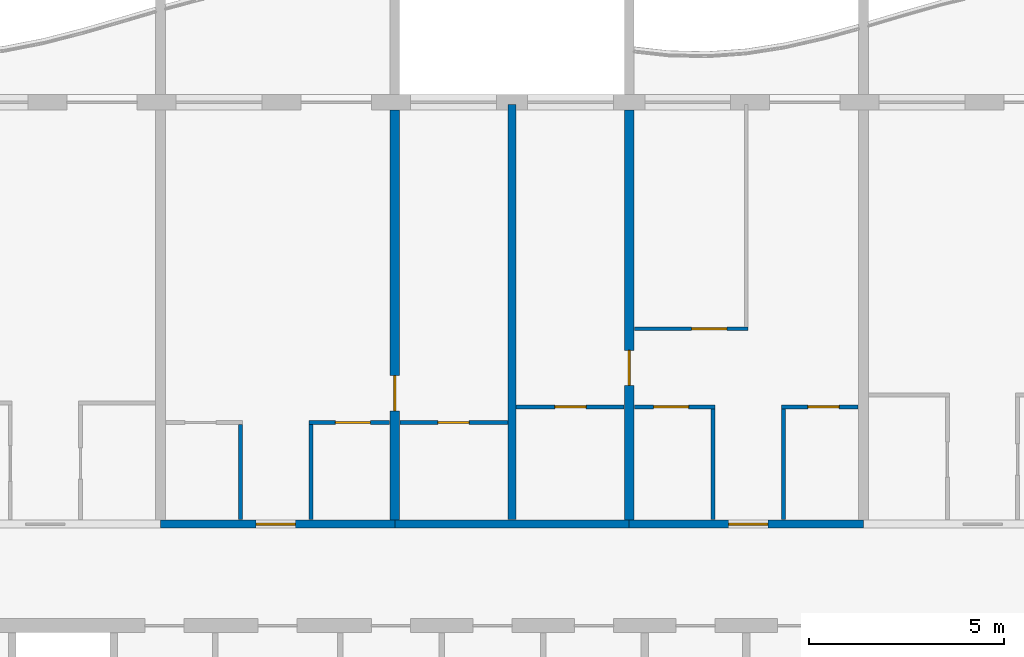
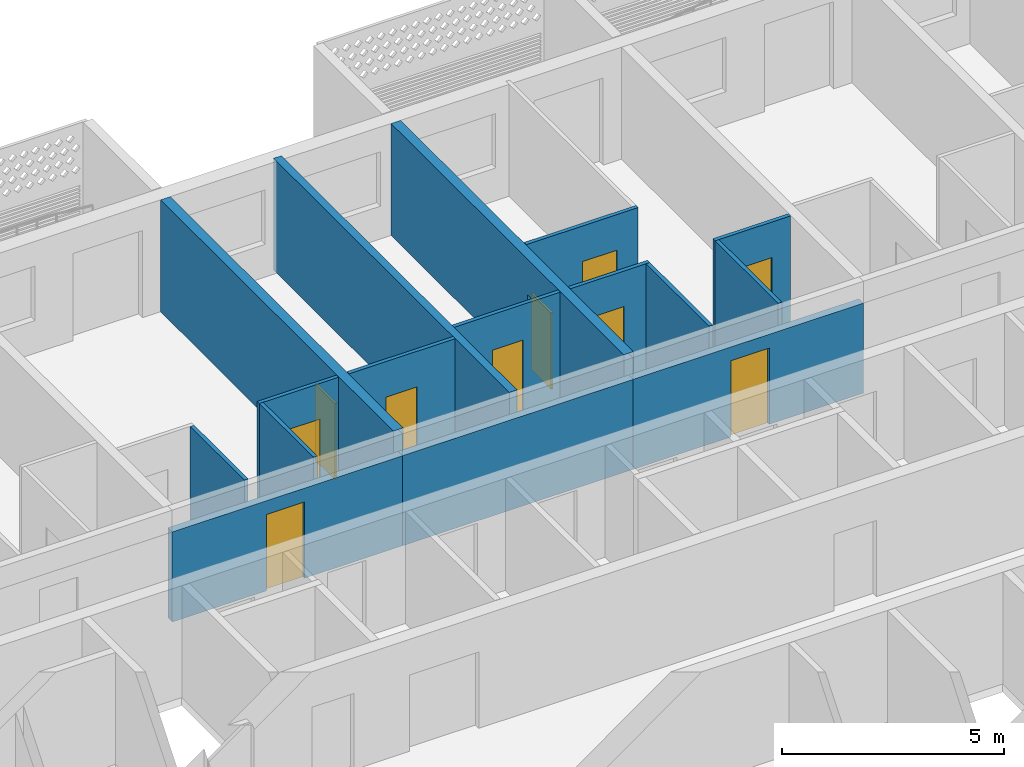
# One storey, part 9 of 29: 16 walls, 10 doors, 10 openings.
"""IFC4 building model written with IfcOpenShell, lengths in metres."""

from ifc_helpers import new_model, si_unit, direction, frame, frame_2d, origin, place, context, subcontext, project, spatial, rectangle, extrude, material, layer, layer_set, type_object, element, fill, save


model = new_model("IFC4")

# Units and contexts
model_context = context("Model", 3, precision=1e-05, world=origin(), true_north=direction((0.0, 1.0)))
body_context = subcontext(model_context, "Body", "Model", "MODEL_VIEW")
ifc_project = project(units=[si_unit("LENGTHUNIT", "METRE"), si_unit("AREAUNIT", "SQUARE_METRE"), si_unit("VOLUMEUNIT", "CUBIC_METRE"), si_unit("PLANEANGLEUNIT", "RADIAN"), si_unit("MASSUNIT", "GRAM", prefix="KILO")], contexts=[model_context])

# Site, building, storey
site_placement = place(None, origin())
site = spatial("IfcSite", under=ifc_project, at=site_placement, CompositionType="ELEMENT")
building_placement = place(site_placement, origin())
building = spatial("IfcBuilding", under=site, at=building_placement, Name="Poui Terraces", CompositionType="ELEMENT")
storey_placement = place(building_placement, frame((0.0, 0.0, 231.300048828125)))
storey = spatial("IfcBuildingStorey", under=building, at=storey_placement, Name="L64", CompositionType="ELEMENT", Elevation=231.300048828125)

# Wall, opening, door
ifc_material_1 = material(Name="Concrete 50 MPa", Category="concrete")
ifc_layer_1 = layer(ifc_material_1, 0.199951171875)
ifc_layer_set_1 = layer_set([ifc_layer_1], Name="Concrete 50 MPa")
wall_type_1 = type_object("IfcWallType", Name="CORRIDOR WALL 200 50MPa", PredefinedType="SHEAR", material=ifc_layer_set_1)
wall_1_placement = place(storey_placement, frame((48.0, 30.39990234375, 0.0), z_axis=(0.0, 0.0, 1.0), x_axis=(1.0, 0.0, 0.0)))
wall_1 = element("IfcWall", 1, at=wall_1_placement, inside=storey, type_object=wall_type_1, Name="CORRIDOR WALL LINE E BAY 6", PredefinedType="SHEAR", context=body_context, shape_type="SweptSolid", body=[
    extrude(rectangle(XDim=6.0, YDim=0.199951171875, at=frame_2d((3.0, 0.0))), origin(), (0.0, 0.0, 1.0), 2.47998046875),
])
opening_1_placement = place(wall_1_placement, frame((2.449951171875, 0.0, 0.0)))
opening_1 = element("IfcOpeningElement", 2, at=opening_1_placement, cuts=wall_1, Name="Opening FD30S", PredefinedType="OPENING", context=body_context, shape_type="SweptSolid", body=[
    extrude(rectangle(XDim=1.0, YDim=2.10009765625, at=frame_2d((0.5, 1.050048828125))), frame((0.0, 0.10986328125, 0.0), z_axis=(0.0, -1.0, 0.0), x_axis=(1.0, 0.0, 0.0)), (0.0, 0.0, 1.0), 0.219970703125),
])
ifc_material_2 = material(Name="Steel fire door", Category="steel")
door_type_1 = type_object("IfcDoorType", Name="FLAT ENTRANCE DOOR 1000 X 2100", OperationType="NOTDEFINED", PredefinedType="DOOR", material=ifc_material_2)
door_1_placement = place(opening_1_placement, origin())
door_1 = element("IfcDoor", 3, at=door_1_placement, inside=storey, type_object=door_type_1, Name="FLAT ENTRANCE DOOR 046", OperationType="SINGLE_SWING_LEFT", OverallHeight=2.10009765625, OverallWidth=1.0, PredefinedType="DOOR", context=body_context, shape_type="SweptSolid", body=[
    extrude(rectangle(XDim=1.0, YDim=2.10009765625, at=frame_2d((0.5, 1.050048828125))), frame((0.0, 0.02490234375, 0.0), z_axis=(0.0, -1.0, 0.0), x_axis=(1.0, 0.0, 0.0)), (0.0, 0.0, 1.0), 0.050048828125),
])
fill(opening_1, door_1)

# Wall
wall_2_placement = place(storey_placement, frame((54.0, 30.39990234375, 0.0), z_axis=(0.0, 0.0, 1.0), x_axis=(1.0, 0.0, 0.0)))
element("IfcWall", 4, at=wall_2_placement, inside=storey, type_object=wall_type_1, Name="CORRIDOR WALL LINE E BAY 7", PredefinedType="SHEAR", context=body_context, shape_type="SweptSolid", body=[
    extrude(rectangle(XDim=6.0, YDim=0.199951171875, at=frame_2d((3.0, 0.0))), origin(), (0.0, 0.0, 1.0), 2.47998046875),
])

# Wall, opening, door
wall_3_placement = place(storey_placement, frame((60.0, 30.39990234375, 0.0), z_axis=(0.0, 0.0, 1.0), x_axis=(1.0, 0.0, 0.0)))
wall_3 = element("IfcWall", 5, at=wall_3_placement, inside=storey, type_object=wall_type_1, Name="CORRIDOR WALL LINE E BAY 8", PredefinedType="SHEAR", context=body_context, shape_type="SweptSolid", body=[
    extrude(rectangle(XDim=6.0, YDim=0.199951171875, at=frame_2d((3.0, 0.0))), origin(), (0.0, 0.0, 1.0), 2.47998046875),
])
opening_2_placement = place(wall_3_placement, frame((2.550048828125, 0.0, 0.0)))
opening_2 = element("IfcOpeningElement", 6, at=opening_2_placement, cuts=wall_3, Name="Opening FD30S", PredefinedType="OPENING", context=body_context, shape_type="SweptSolid", body=[
    extrude(rectangle(XDim=1.0, YDim=2.10009765625, at=frame_2d((0.5, 1.050048828125))), frame((0.0, 0.10986328125, 0.0), z_axis=(0.0, -1.0, 0.0), x_axis=(1.0, 0.0, 0.0)), (0.0, 0.0, 1.0), 0.219970703125),
])
door_2_placement = place(opening_2_placement, origin())
door_2 = element("IfcDoor", 7, at=door_2_placement, inside=storey, type_object=door_type_1, Name="FLAT ENTRANCE DOOR 053", OperationType="SINGLE_SWING_RIGHT", OverallHeight=2.10009765625, OverallWidth=1.0, PredefinedType="DOOR", context=body_context, shape_type="SweptSolid", body=[
    extrude(rectangle(XDim=1.0, YDim=2.10009765625, at=frame_2d((0.5, 1.050048828125))), frame((0.0, 0.02490234375, 0.0), z_axis=(0.0, -1.0, 0.0), x_axis=(1.0, 0.0, 0.0)), (0.0, 0.0, 1.0), 0.050048828125),
])
fill(opening_2, door_2)

ifc_layer_2 = layer(ifc_material_1, 0.25)
ifc_layer_set_2 = layer_set([ifc_layer_2], Name="Concrete 50 MPa")
wall_type_2 = type_object("IfcWallType", Name="CROSS WALL 250 50MPa", PredefinedType="SHEAR", material=ifc_layer_set_2)
wall_4_placement = place(storey_placement, frame((54.0, 30.5, 0.0), z_axis=(0.0, 0.0, 1.0), x_axis=(0.0, 1.0, 0.0)))
wall_4 = element("IfcWall", 8, at=wall_4_placement, inside=storey, type_object=wall_type_2, Name="CROSS WALL LINE 10 NORTH", PredefinedType="SHEAR", context=body_context, shape_type="SweptSolid", body=[
    extrude(rectangle(XDim=10.5, YDim=0.25, at=frame_2d((5.25, 0.0))), origin(), (0.0, 0.0, 1.0), 3.079833984375),
])
opening_3_placement = place(wall_4_placement, frame((2.800048828125, 0.0, 0.0)))
opening_3 = element("IfcOpeningElement", 9, at=opening_3_placement, cuts=wall_4, Name="Opening D90", PredefinedType="OPENING", context=body_context, shape_type="SweptSolid", body=[
    extrude(rectangle(XDim=0.89990234375, YDim=2.10009765625, at=frame_2d((0.449951171875, 1.050048828125))), frame((0.0, 0.135009765625, 0.0), z_axis=(0.0, -1.0, 0.0), x_axis=(1.0, 0.0, 0.0)), (0.0, 0.0, 1.0), 0.27001953125),
])
ifc_material_3 = material(Name="Solid core timber door", Category="wood")
door_type_2 = type_object("IfcDoorType", Name="INTERNAL DOOR 900 X 2100", OperationType="NOTDEFINED", PredefinedType="DOOR", material=ifc_material_3)
door_3_placement = place(opening_3_placement, frame((0.89990234375, 0.0, 0.0), z_axis=(0.0, 0.0, 1.0), x_axis=(-1.0, 0.0, 0.0)))
door_3 = element("IfcDoor", 10, at=door_3_placement, inside=storey, type_object=door_type_2, Name="INTERNAL DOOR 048", OperationType="SINGLE_SWING_RIGHT", OverallHeight=2.10009765625, OverallWidth=0.89990234375, PredefinedType="DOOR", context=body_context, shape_type="SweptSolid", body=[
    extrude(rectangle(XDim=0.89990234375, YDim=2.10009765625, at=frame_2d((0.449951171875, 1.050048828125))), frame((0.0, 0.02490234375, 0.0), z_axis=(0.0, -1.0, 0.0), x_axis=(1.0, 0.0, 0.0)), (0.0, 0.0, 1.0), 0.050048828125),
])
fill(opening_3, door_3)

wall_5_placement = place(storey_placement, frame((60.0, 30.5, 0.0), z_axis=(0.0, 0.0, 1.0), x_axis=(0.0, 1.0, 0.0)))
wall_5 = element("IfcWall", 11, at=wall_5_placement, inside=storey, type_object=wall_type_2, Name="CROSS WALL LINE 11 NORTH", PredefinedType="SHEAR", context=body_context, shape_type="SweptSolid", body=[
    extrude(rectangle(XDim=10.5, YDim=0.25, at=frame_2d((5.25, 0.0))), origin(), (0.0, 0.0, 1.0), 3.079833984375),
])
opening_4_placement = place(wall_5_placement, frame((3.449951171875, 0.0, 0.0)))
opening_4 = element("IfcOpeningElement", 12, at=opening_4_placement, cuts=wall_5, Name="Opening D90", PredefinedType="OPENING", context=body_context, shape_type="SweptSolid", body=[
    extrude(rectangle(XDim=0.89990234375, YDim=2.10009765625, at=frame_2d((0.449951171875, 1.050048828125))), frame((0.0, 0.135009765625, 0.0), z_axis=(0.0, -1.0, 0.0), x_axis=(1.0, 0.0, 0.0)), (0.0, 0.0, 1.0), 0.27001953125),
])
door_4_placement = place(opening_4_placement, origin())
door_4 = element("IfcDoor", 13, at=door_4_placement, inside=storey, type_object=door_type_2, Name="INTERNAL DOOR 050", OperationType="SINGLE_SWING_LEFT", OverallHeight=2.10009765625, OverallWidth=0.89990234375, PredefinedType="DOOR", context=body_context, shape_type="SweptSolid", body=[
    extrude(rectangle(XDim=0.89990234375, YDim=2.10009765625, at=frame_2d((0.449951171875, 1.050048828125))), frame((0.0, 0.02490234375, 0.0), z_axis=(0.0, -1.0, 0.0), x_axis=(1.0, 0.0, 0.0)), (0.0, 0.0, 1.0), 0.050048828125),
])
fill(opening_4, door_4)

ifc_material_4 = material(Name="Plasterboard partition")
ifc_layer_3 = layer(ifc_material_4, 0.10009765625)
ifc_layer_set_3 = layer_set([ifc_layer_3], Name="Plasterboard partition")
wall_type_3 = type_object("IfcWallType", Name="FLAT PARTITION 100", PredefinedType="PARTITIONING", material=ifc_layer_set_3)
wall_6_placement = place(storey_placement, frame((51.800048828125, 33.0, 0.0), z_axis=(0.0, 0.0, 1.0), x_axis=(1.0, 0.0, 0.0)))
wall_6 = element("IfcWall", 14, at=wall_6_placement, inside=storey, type_object=wall_type_3, Name="FLAT PARTITION 100", PredefinedType="PARTITIONING", context=body_context, shape_type="SweptSolid", body=[
    extrude(rectangle(XDim=2.06494140625, YDim=0.10009765625, at=frame_2d((1.032470703125, 0.0))), origin(), (0.0, 0.0, 1.0), 3.079833984375),
])
opening_5_placement = place(wall_6_placement, frame((0.675048828125, 0.0, 0.0)))
opening_5 = element("IfcOpeningElement", 15, at=opening_5_placement, cuts=wall_6, Name="Opening D90", PredefinedType="OPENING", context=body_context, shape_type="SweptSolid", body=[
    extrude(rectangle(XDim=0.89990234375, YDim=2.10009765625, at=frame_2d((0.449951171875, 1.050048828125))), frame((0.0, 0.06005859375, 0.0), z_axis=(0.0, -1.0, 0.0), x_axis=(1.0, 0.0, 0.0)), (0.0, 0.0, 1.0), 0.1201171875),
])
door_5_placement = place(opening_5_placement, frame((0.89990234375, 0.0, 0.0), z_axis=(0.0, 0.0, 1.0), x_axis=(-1.0, 0.0, 0.0)))
door_5 = element("IfcDoor", 16, at=door_5_placement, inside=storey, type_object=door_type_2, Name="INTERNAL DOOR 047", OperationType="SINGLE_SWING_RIGHT", OverallHeight=2.10009765625, OverallWidth=0.89990234375, PredefinedType="DOOR", context=body_context, shape_type="SweptSolid", body=[
    extrude(rectangle(XDim=0.89990234375, YDim=2.10009765625, at=frame_2d((0.449951171875, 1.050048828125))), frame((0.0, 0.02490234375, 0.0), z_axis=(0.0, -1.0, 0.0), x_axis=(1.0, 0.0, 0.0)), (0.0, 0.0, 1.0), 0.050048828125),
])
fill(opening_5, door_5)

wall_7_placement = place(storey_placement, frame((54.135009765625, 33.0, 0.0), z_axis=(0.0, 0.0, 1.0), x_axis=(1.0, 0.0, 0.0)))
wall_7 = element("IfcWall", 17, at=wall_7_placement, inside=storey, type_object=wall_type_3, Name="FLAT PARTITION 100", PredefinedType="PARTITIONING", context=body_context, shape_type="SweptSolid", body=[
    extrude(rectangle(XDim=2.764892578125, YDim=0.10009765625, at=frame_2d((1.38232421875, 0.0))), origin(), (0.0, 0.0, 1.0), 3.079833984375),
])
opening_6_placement = place(wall_7_placement, frame((0.965087890625, 0.0, 0.0)))
opening_6 = element("IfcOpeningElement", 18, at=opening_6_placement, cuts=wall_7, Name="Opening D80", PredefinedType="OPENING", context=body_context, shape_type="SweptSolid", body=[
    extrude(rectangle(XDim=0.800048828125, YDim=2.10009765625, at=frame_2d((0.39990234375, 1.050048828125))), frame((0.0, 0.06005859375, 0.0), z_axis=(0.0, -1.0, 0.0), x_axis=(1.0, 0.0, 0.0)), (0.0, 0.0, 1.0), 0.1201171875),
])
door_type_3 = type_object("IfcDoorType", Name="BATHROOM, LAUNDRY AND STORE DOOR 800 X 2100", OperationType="NOTDEFINED", PredefinedType="DOOR", material=ifc_material_3)
door_6_placement = place(opening_6_placement, frame((0.800048828125, 0.0, 0.0), z_axis=(0.0, 0.0, 1.0), x_axis=(-1.0, 0.0, 0.0)))
door_6 = element("IfcDoor", 19, at=door_6_placement, inside=storey, type_object=door_type_3, Name="BATHROOM, LAUNDRY AND STORE DOOR 044", OperationType="SINGLE_SWING_RIGHT", OverallHeight=2.10009765625, OverallWidth=0.800048828125, PredefinedType="DOOR", context=body_context, shape_type="SweptSolid", body=[
    extrude(rectangle(XDim=0.800048828125, YDim=2.10009765625, at=frame_2d((0.39990234375, 1.050048828125))), frame((0.0, 0.02490234375, 0.0), z_axis=(0.0, -1.0, 0.0), x_axis=(1.0, 0.0, 0.0)), (0.0, 0.0, 1.0), 0.050048828125),
])
fill(opening_6, door_6)

wall_8_placement = place(storey_placement, frame((57.10009765625, 33.39990234375, 0.0), z_axis=(0.0, 0.0, 1.0), x_axis=(1.0, 0.0, 0.0)))
wall_8 = element("IfcWall", 20, at=wall_8_placement, inside=storey, type_object=wall_type_3, Name="FLAT PARTITION 100", PredefinedType="PARTITIONING", context=body_context, shape_type="SweptSolid", body=[
    extrude(rectangle(XDim=2.764892578125, YDim=0.10009765625, at=frame_2d((1.38232421875, 0.0))), origin(), (0.0, 0.0, 1.0), 3.079833984375),
])
opening_7_placement = place(wall_8_placement, frame((1.0, 0.0, 0.0)))
opening_7 = element("IfcOpeningElement", 21, at=opening_7_placement, cuts=wall_8, Name="Opening D80", PredefinedType="OPENING", context=body_context, shape_type="SweptSolid", body=[
    extrude(rectangle(XDim=0.800048828125, YDim=2.10009765625, at=frame_2d((0.39990234375, 1.050048828125))), frame((0.0, 0.06005859375, 0.0), z_axis=(0.0, -1.0, 0.0), x_axis=(1.0, 0.0, 0.0)), (0.0, 0.0, 1.0), 0.1201171875),
])
door_7_placement = place(opening_7_placement, frame((0.800048828125, 0.0, 0.0), z_axis=(0.0, 0.0, 1.0), x_axis=(-1.0, 0.0, 0.0)))
door_7 = element("IfcDoor", 22, at=door_7_placement, inside=storey, type_object=door_type_3, Name="BATHROOM, LAUNDRY AND STORE DOOR 049", OperationType="SINGLE_SWING_LEFT", OverallHeight=2.10009765625, OverallWidth=0.800048828125, PredefinedType="DOOR", context=body_context, shape_type="SweptSolid", body=[
    extrude(rectangle(XDim=0.800048828125, YDim=2.10009765625, at=frame_2d((0.39990234375, 1.050048828125))), frame((0.0, 0.02490234375, 0.0), z_axis=(0.0, -1.0, 0.0), x_axis=(1.0, 0.0, 0.0)), (0.0, 0.0, 1.0), 0.050048828125),
])
fill(opening_7, door_7)

wall_9_placement = place(storey_placement, frame((60.135009765625, 33.39990234375, 0.0), z_axis=(0.0, 0.0, 1.0), x_axis=(1.0, 0.0, 0.0)))
wall_9 = element("IfcWall", 23, at=wall_9_placement, inside=storey, type_object=wall_type_3, Name="FLAT PARTITION 100", PredefinedType="PARTITIONING", context=body_context, shape_type="SweptSolid", body=[
    extrude(rectangle(XDim=2.06494140625, YDim=0.10009765625, at=frame_2d((1.032470703125, 0.0))), origin(), (0.0, 0.0, 1.0), 3.079833984375),
])
opening_8_placement = place(wall_9_placement, frame((0.489990234375, 0.0, 0.0)))
opening_8 = element("IfcOpeningElement", 24, at=opening_8_placement, cuts=wall_9, Name="Opening D90", PredefinedType="OPENING", context=body_context, shape_type="SweptSolid", body=[
    extrude(rectangle(XDim=0.89990234375, YDim=2.10009765625, at=frame_2d((0.449951171875, 1.050048828125))), frame((0.0, 0.06005859375, 0.0), z_axis=(0.0, -1.0, 0.0), x_axis=(1.0, 0.0, 0.0)), (0.0, 0.0, 1.0), 0.1201171875),
])
door_8_placement = place(opening_8_placement, frame((0.89990234375, 0.0, 0.0), z_axis=(0.0, 0.0, 1.0), x_axis=(-1.0, 0.0, 0.0)))
door_8 = element("IfcDoor", 25, at=door_8_placement, inside=storey, type_object=door_type_2, Name="INTERNAL DOOR 051", OperationType="SINGLE_SWING_LEFT", OverallHeight=2.10009765625, OverallWidth=0.89990234375, PredefinedType="DOOR", context=body_context, shape_type="SweptSolid", body=[
    extrude(rectangle(XDim=0.89990234375, YDim=2.10009765625, at=frame_2d((0.449951171875, 1.050048828125))), frame((0.0, 0.02490234375, 0.0), z_axis=(0.0, -1.0, 0.0), x_axis=(1.0, 0.0, 0.0)), (0.0, 0.0, 1.0), 0.050048828125),
])
fill(opening_8, door_8)

wall_10_placement = place(storey_placement, frame((63.89990234375, 33.39990234375, 0.0), z_axis=(0.0, 0.0, 1.0), x_axis=(1.0, 0.0, 0.0)))
wall_10 = element("IfcWall", 26, at=wall_10_placement, inside=storey, type_object=wall_type_3, Name="FLAT PARTITION 100", PredefinedType="PARTITIONING", context=body_context, shape_type="SweptSolid", body=[
    extrude(rectangle(XDim=1.965087890625, YDim=0.10009765625, at=frame_2d((0.982421875, 0.0))), origin(), (0.0, 0.0, 1.0), 3.079833984375),
])
opening_9_placement = place(wall_10_placement, frame((0.675048828125, 0.0, 0.0)))
opening_9 = element("IfcOpeningElement", 27, at=opening_9_placement, cuts=wall_10, Name="Opening D80", PredefinedType="OPENING", context=body_context, shape_type="SweptSolid", body=[
    extrude(rectangle(XDim=0.800048828125, YDim=2.10009765625, at=frame_2d((0.39990234375, 1.050048828125))), frame((0.0, 0.06005859375, 0.0), z_axis=(0.0, -1.0, 0.0), x_axis=(1.0, 0.0, 0.0)), (0.0, 0.0, 1.0), 0.1201171875),
])
door_9_placement = place(opening_9_placement, frame((0.800048828125, 0.0, 0.0), z_axis=(0.0, 0.0, 1.0), x_axis=(-1.0, 0.0, 0.0)))
door_9 = element("IfcDoor", 28, at=door_9_placement, inside=storey, type_object=door_type_3, Name="BATHROOM, LAUNDRY AND STORE DOOR 054", OperationType="SINGLE_SWING_RIGHT", OverallHeight=2.10009765625, OverallWidth=0.800048828125, PredefinedType="DOOR", context=body_context, shape_type="SweptSolid", body=[
    extrude(rectangle(XDim=0.800048828125, YDim=2.10009765625, at=frame_2d((0.39990234375, 1.050048828125))), frame((0.0, 0.02490234375, 0.0), z_axis=(0.0, -1.0, 0.0), x_axis=(1.0, 0.0, 0.0)), (0.0, 0.0, 1.0), 0.050048828125),
])
fill(opening_9, door_9)

wall_11_placement = place(storey_placement, frame((60.135009765625, 35.39990234375, 0.0), z_axis=(0.0, 0.0, 1.0), x_axis=(1.0, 0.0, 0.0)))
wall_11 = element("IfcWall", 29, at=wall_11_placement, inside=storey, type_object=wall_type_3, Name="FLAT PARTITION 100", PredefinedType="PARTITIONING", context=body_context, shape_type="SweptSolid", body=[
    extrude(rectangle(XDim=2.9150390625, YDim=0.10009765625, at=frame_2d((1.45751953125, 0.0))), origin(), (0.0, 0.0, 1.0), 3.079833984375),
])
opening_10_placement = place(wall_11_placement, frame((1.465087890625, 0.0, 0.0)))
opening_10 = element("IfcOpeningElement", 30, at=opening_10_placement, cuts=wall_11, Name="Opening D90", PredefinedType="OPENING", context=body_context, shape_type="SweptSolid", body=[
    extrude(rectangle(XDim=0.89990234375, YDim=2.10009765625, at=frame_2d((0.449951171875, 1.050048828125))), frame((0.0, 0.06005859375, 0.0), z_axis=(0.0, -1.0, 0.0), x_axis=(1.0, 0.0, 0.0)), (0.0, 0.0, 1.0), 0.1201171875),
])
door_10_placement = place(opening_10_placement, frame((0.89990234375, 0.0, 0.0), z_axis=(0.0, 0.0, 1.0), x_axis=(-1.0, 0.0, 0.0)))
door_10 = element("IfcDoor", 31, at=door_10_placement, inside=storey, type_object=door_type_2, Name="INTERNAL DOOR 052", OperationType="SINGLE_SWING_RIGHT", OverallHeight=2.10009765625, OverallWidth=0.89990234375, PredefinedType="DOOR", context=body_context, shape_type="SweptSolid", body=[
    extrude(rectangle(XDim=0.89990234375, YDim=2.10009765625, at=frame_2d((0.449951171875, 1.050048828125))), frame((0.0, 0.02490234375, 0.0), z_axis=(0.0, -1.0, 0.0), x_axis=(1.0, 0.0, 0.0)), (0.0, 0.0, 1.0), 0.050048828125),
])
fill(opening_10, door_10)

# Walls
for number, where, z_axis, x_axis, name in (
    (32, (50.050048828125, 30.510009765625, 0.0), (0.0, 0.0, 1.0), (0.0, 1.0, 0.0), "FLAT PARTITION 100"),
    (33, (51.85009765625, 30.510009765625, 0.0), (0.0, 0.0, 1.0), (0.0, 1.0, 0.0), "FLAT PARTITION 100"),
):
    element("IfcWall", number, at=place(storey_placement, frame(where, z_axis=z_axis, x_axis=x_axis)), inside=storey, type_object=wall_type_3, Name=name, PredefinedType="PARTITIONING", context=body_context, shape_type="SweptSolid", body=[
        extrude(rectangle(XDim=2.43994140625, YDim=0.10009765625, at=frame_2d((1.219970703125, 0.0))), origin(), (0.0, 0.0, 1.0), 3.079833984375),
    ])
for number, where, z_axis, x_axis, name in (
    (34, (62.14990234375, 30.510009765625, 0.0), (0.0, 0.0, 1.0), (0.0, 1.0, 0.0), "FLAT PARTITION 100"),
    (35, (63.949951171875, 30.510009765625, 0.0), (0.0, 0.0, 1.0), (0.0, 1.0, 0.0), "FLAT PARTITION 100"),
):
    element("IfcWall", number, at=place(storey_placement, frame(where, z_axis=z_axis, x_axis=x_axis)), inside=storey, type_object=wall_type_3, Name=name, PredefinedType="PARTITIONING", context=body_context, shape_type="SweptSolid", body=[
        extrude(rectangle(XDim=2.840087890625, YDim=0.10009765625, at=frame_2d((1.419921875, 0.0))), origin(), (0.0, 0.0, 1.0), 3.079833984375),
    ])
ifc_material_5 = material(Name="Fire-rated masonry wall", Category="masonry")
ifc_layer_4 = layer(ifc_material_5, 0.199951171875)
ifc_layer_set_4 = layer_set([ifc_layer_4], Name="Fire-rated masonry wall")
wall_type_4 = type_object("IfcWallType", Name="FLAT PARTY WALL 200", PredefinedType="PARTITIONING", material=ifc_layer_set_4)
wall_12_placement = place(storey_placement, frame((57.0, 30.510009765625, 0.0), z_axis=(0.0, 0.0, 1.0), x_axis=(0.0, 1.0, 0.0)))
element("IfcWall", 36, at=wall_12_placement, inside=storey, type_object=wall_type_4, Name="FLAT PARTY WALL 200", PredefinedType="PARTITIONING", context=body_context, shape_type="SweptSolid", body=[
    extrude(rectangle(XDim=10.6298828125, YDim=0.199951171875, at=frame_2d((5.31494140625, 0.0))), origin(), (0.0, 0.0, 1.0), 3.079833984375),
])

save(model, "model.ifc")
